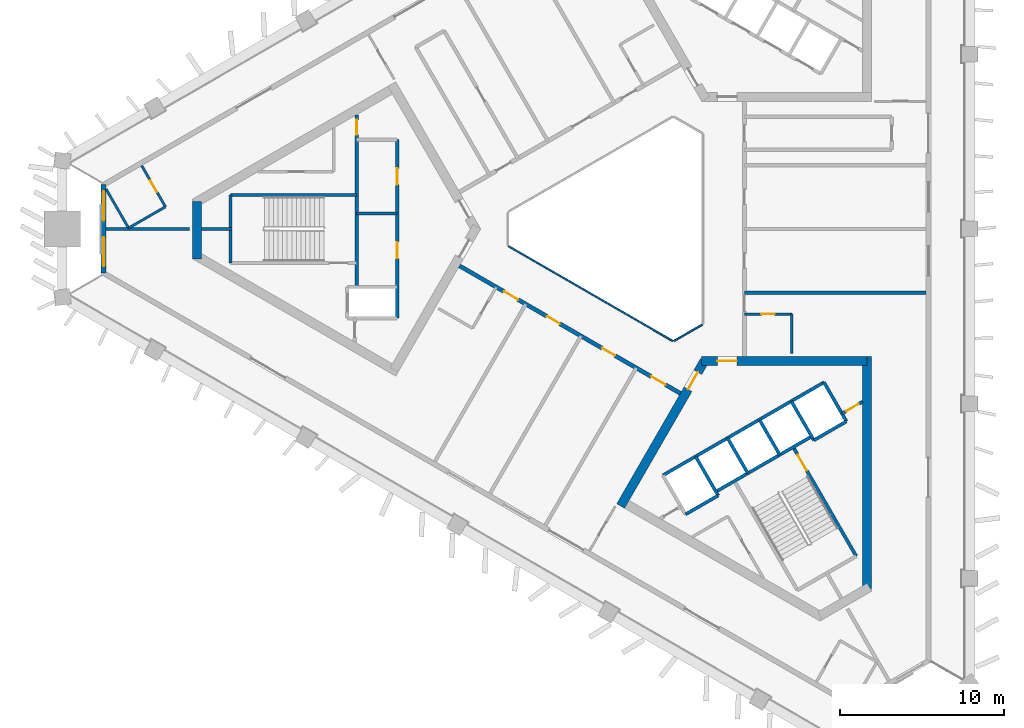
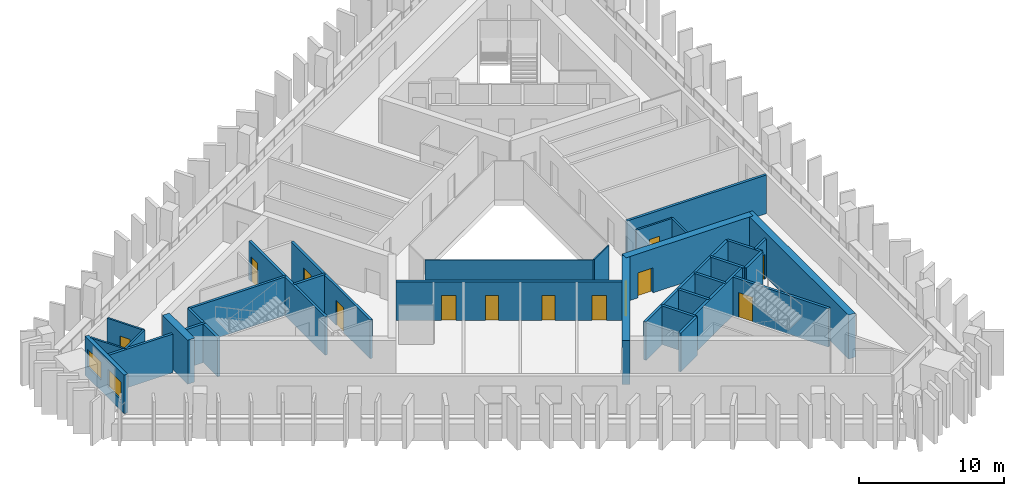
# One storey, part 3 of 9: 32 walls, 13 doors, 2 windows, 15 openings.
"""IFC4 building model written with IfcOpenShell, lengths in metres."""

from ifc_helpers import new_model, si_unit, direction, frame, frame_2d, origin, place, context, subcontext, project, spatial, rectangle, extrude, material, layer, layer_set, type_object, element, fill, save


model = new_model("IFC4")

# Units and contexts
model_context = context("Model", 3, precision=1e-05, world=origin(), true_north=direction((0.0, 1.0)))
body_context = subcontext(model_context, "Body", "Model", "MODEL_VIEW")
ifc_project = project(units=[si_unit("LENGTHUNIT", "METRE"), si_unit("AREAUNIT", "SQUARE_METRE"), si_unit("VOLUMEUNIT", "CUBIC_METRE"), si_unit("PLANEANGLEUNIT", "RADIAN"), si_unit("MASSUNIT", "GRAM", prefix="KILO")], contexts=[model_context])

# Site, building, storey
site_placement = place(None, origin())
site = spatial("IfcSite", under=ifc_project, at=site_placement, CompositionType="ELEMENT")
building_placement = place(site_placement, origin())
building = spatial("IfcBuilding", under=site, at=building_placement, Name="Jabali Bay Hotel Tower and Convention Centre", CompositionType="ELEMENT")
storey_placement = place(building_placement, frame((0.0, 0.0, 185.89990234375)))
storey = spatial("IfcBuildingStorey", under=building, at=storey_placement, Name="L45", CompositionType="ELEMENT", Elevation=185.89990234375)

# Walls
ifc_material_1 = material(Name="Fire-resistant glazing", Category="glass")
ifc_layer_1 = layer(ifc_material_1, 0.10009765625)
ifc_layer_set_1 = layer_set([ifc_layer_1], Name="Fire-resistant glazing")
wall_type_1 = type_object("IfcWallType", Name="Atrium glazed screen 100", PredefinedType="PARTITIONING", material=ifc_layer_set_1)
wall_1_placement = place(storey_placement, frame((67.7021484375, 78.947998046875, 0.0), z_axis=(0.0, 0.0, 1.0), x_axis=(0.866026658274, -0.499997827154, 0.0)))
element("IfcWall", 1, at=wall_1_placement, inside=storey, type_object=wall_type_1, Name="Atrium screen 5 L45", PredefinedType="PARTITIONING", context=body_context, shape_type="SweptSolid", body=[
    extrude(rectangle(XDim=11.58837890625, YDim=0.10009765625, at=frame_2d((5.794189453125, 0.0))), origin(), (0.0, 0.0, 1.0), 3.25),
])
wall_2_placement = place(storey_placement, frame((77.7978515625, 73.15380859375, 0.0), z_axis=(0.0, 0.0, 1.0), x_axis=(0.866041268327, 0.499972520799, 0.0)))
element("IfcWall", 2, at=wall_2_placement, inside=storey, type_object=wall_type_1, Name="Atrium screen 6 L45", PredefinedType="PARTITIONING", context=body_context, shape_type="SweptSolid", body=[
    extrude(rectangle(XDim=2.0, YDim=0.10009765625, at=frame_2d((1.0, 0.0))), origin(), (0.0, 0.0, 1.0), 3.25),
])
ifc_material_2 = material(Name="Concrete C40", Category="concrete")
ifc_layer_2 = layer(ifc_material_2, 0.199951171875)
ifc_layer_set_2 = layer_set([ifc_layer_2], Name="Concrete C40")
wall_type_2 = type_object("IfcWallType", Name="Core partition wall 200", PredefinedType="PARTITIONING", material=ifc_layer_set_2)
wall_3_placement = place(storey_placement, frame((50.820068359375, 80.0, 0.0), z_axis=(0.0, 0.0, 1.0), x_axis=(-1.0, 0.0, 0.0)))
element("IfcWall", 3, at=wall_3_placement, inside=storey, type_object=wall_type_2, Name="Core wall 0.4 L45", PredefinedType="PARTITIONING", context=body_context, shape_type="SweptSolid", body=[
    extrude(rectangle(XDim=1.873046875, YDim=0.199951171875, at=frame_2d((0.9365234375, 0.0))), origin(), (0.0, 0.0, 1.0), 3.25),
])

# Wall, opening, door
wall_4_placement = place(storey_placement, frame((88.064697265625, 68.72119140625, 0.0), z_axis=(0.0, 0.0, 1.0), x_axis=(0.865982457891, 0.500074377092, 0.0)))
wall_4 = element("IfcWall", 4, at=wall_4_placement, inside=storey, type_object=wall_type_2, Name="Core wall 2.12 L45", PredefinedType="PARTITIONING", context=body_context, shape_type="SweptSolid", body=[
    extrude(rectangle(XDim=1.461181640625, YDim=0.199951171875, at=frame_2d((0.73046875, 0.0))), origin(), (0.0, 0.0, 1.0), 3.25),
])
opening_1_placement = place(wall_4_placement, frame((0.280517578125, 0.0, 0.0)))
opening_1 = element("IfcOpeningElement", 5, at=opening_1_placement, cuts=wall_4, Name="Opening D984", PredefinedType="OPENING", context=body_context, shape_type="SweptSolid", body=[
    extrude(rectangle(XDim=0.89990234375, YDim=2.10009765625, at=frame_2d((0.449951171875, 1.050048828125))), frame((0.0, 0.1103515625, 0.0), z_axis=(0.0, -1.0, 0.0), x_axis=(1.0, 0.0, 0.0)), (0.0, 0.0, 1.0), 0.220947265625),
])
ifc_material_3 = material(Name="Fire-rated steel door", Category="steel")
door_type_1 = type_object("IfcDoorType", Name="Vestibule fire door 900 x 2100", OperationType="NOTDEFINED", PredefinedType="NOTDEFINED", material=ifc_material_3)
door_1_placement = place(opening_1_placement, origin())
door_1 = element("IfcDoor", 6, at=door_1_placement, inside=storey, type_object=door_type_1, Name="Vestibule fire door D984", OperationType="SINGLE_SWING_LEFT", OverallHeight=2.10009765625, OverallWidth=0.89990234375, PredefinedType="NOTDEFINED", context=body_context, shape_type="SweptSolid", body=[
    extrude(rectangle(XDim=0.89990234375, YDim=2.10009765625, at=frame_2d((0.449951171875, 1.050048828125))), frame((0.0, 0.02490234375, 0.0), z_axis=(0.0, -1.0, 0.0), x_axis=(1.0, 0.0, 0.0)), (0.0, 0.0, 1.0), 0.050048828125),
])
fill(opening_1, door_1)

# Walls
ifc_layer_3 = layer(ifc_material_2, 0.199951171875)
ifc_layer_set_3 = layer_set([ifc_layer_3], Name="Concrete C40")
wall_type_3 = type_object("IfcWallType", Name="Core stair wall 200", PredefinedType="SOLIDWALL", material=ifc_layer_set_3)
wall_5_placement = place(storey_placement, frame((58.419921875, 82.074951171875, 0.0), z_axis=(0.0, 0.0, 1.0), x_axis=(-1.0, 0.0, 0.0)))
element("IfcWall", 7, at=wall_5_placement, inside=storey, type_object=wall_type_3, Name="Core wall 0.2 L45", PredefinedType="SOLIDWALL", context=body_context, shape_type="SweptSolid", body=[
    extrude(rectangle(XDim=7.699951171875, YDim=0.199951171875, at=frame_2d((3.85009765625, 0.0))), origin(), (0.0, 0.0, 1.0), 3.25),
])
wall_6_placement = place(storey_placement, frame((60.89990234375, 80.949951171875, 0.0), z_axis=(0.0, 0.0, 1.0), x_axis=(-1.0, 0.0, 0.0)))
element("IfcWall", 8, at=wall_6_placement, inside=storey, type_object=wall_type_3, Name="Core wall 0.3 L45", PredefinedType="SOLIDWALL", context=body_context, shape_type="SweptSolid", body=[
    extrude(rectangle(XDim=2.47998046875, YDim=0.199951171875, at=frame_2d((1.239990234375, 0.0))), origin(), (0.0, 0.0, 1.0), 3.25),
])

# Wall, openings, doors
wall_7_placement = place(storey_placement, frame((60.89990234375, 85.449951171875, 0.0), z_axis=(0.0, 0.0, 1.0), x_axis=(0.0, -1.0, 0.0)))
wall_7 = element("IfcWall", 9, at=wall_7_placement, inside=storey, type_object=wall_type_3, Name="Core wall 0.8 L45", PredefinedType="SOLIDWALL", context=body_context, shape_type="SweptSolid", body=[
    extrude(rectangle(XDim=10.89990234375, YDim=0.199951171875, at=frame_2d((5.449951171875, 0.0))), origin(), (0.0, 0.0, 1.0), 3.25),
])
opening_2_placement = place(wall_7_placement, frame((1.75, 0.0, 0.0)))
opening_2 = element("IfcOpeningElement", 10, at=opening_2_placement, cuts=wall_7, Name="Opening D970", PredefinedType="OPENING", context=body_context, shape_type="SweptSolid", body=[
    extrude(rectangle(XDim=1.0, YDim=2.10009765625, at=frame_2d((0.5, 1.050048828125))), frame((0.0, 0.1103515625, 0.0), z_axis=(0.0, -1.0, 0.0), x_axis=(1.0, 0.0, 0.0)), (0.0, 0.0, 1.0), 0.220947265625),
])
opening_3_placement = place(wall_7_placement, frame((6.25, 0.0, 0.0)))
opening_3 = element("IfcOpeningElement", 11, at=opening_3_placement, cuts=wall_7, Name="Opening D971", PredefinedType="OPENING", context=body_context, shape_type="SweptSolid", body=[
    extrude(rectangle(XDim=1.0, YDim=2.10009765625, at=frame_2d((0.5, 1.050048828125))), frame((0.0, 0.1103515625, 0.0), z_axis=(0.0, -1.0, 0.0), x_axis=(1.0, 0.0, 0.0)), (0.0, 0.0, 1.0), 0.220947265625),
])
door_type_2 = type_object("IfcDoorType", Name="Core room door 1000 x 2100", OperationType="NOTDEFINED", PredefinedType="NOTDEFINED", material=ifc_material_3)
door_2_placement = place(opening_2_placement, origin())
door_2 = element("IfcDoor", 12, at=door_2_placement, inside=storey, type_object=door_type_2, Name="Core room door D970", OperationType="SINGLE_SWING_RIGHT", OverallHeight=2.10009765625, OverallWidth=1.0, PredefinedType="NOTDEFINED", context=body_context, shape_type="SweptSolid", body=[
    extrude(rectangle(XDim=1.0, YDim=2.10009765625, at=frame_2d((0.5, 1.050048828125))), frame((0.0, 0.02490234375, 0.0), z_axis=(0.0, -1.0, 0.0), x_axis=(1.0, 0.0, 0.0)), (0.0, 0.0, 1.0), 0.050048828125),
])
fill(opening_2, door_2)
door_3_placement = place(opening_3_placement, origin())
door_3 = element("IfcDoor", 13, at=door_3_placement, inside=storey, type_object=door_type_2, Name="Core room door D971", OperationType="SINGLE_SWING_RIGHT", OverallHeight=2.10009765625, OverallWidth=1.0, PredefinedType="NOTDEFINED", context=body_context, shape_type="SweptSolid", body=[
    extrude(rectangle(XDim=1.0, YDim=2.10009765625, at=frame_2d((0.5, 1.050048828125))), frame((0.0, 0.02490234375, 0.0), z_axis=(0.0, -1.0, 0.0), x_axis=(1.0, 0.0, 0.0)), (0.0, 0.0, 1.0), 0.050048828125),
])
fill(opening_3, door_3)

# Wall, opening, door
wall_8_placement = place(storey_placement, frame((58.419921875, 86.974365234375, 0.0), z_axis=(0.0, 0.0, 1.0), x_axis=(0.0, -1.0, 0.0)))
wall_8 = element("IfcWall", 14, at=wall_8_placement, inside=storey, type_object=wall_type_3, Name="Core wall 0.9 L45", PredefinedType="SOLIDWALL", context=body_context, shape_type="SweptSolid", body=[
    extrude(rectangle(XDim=10.5244140625, YDim=0.199951171875, at=frame_2d((5.26220703125, 0.0))), origin(), (0.0, 0.0, 1.0), 3.25),
])
opening_4_placement = place(wall_8_placement, frame((0.312255859375, 0.0, 0.0)))
opening_4 = element("IfcOpeningElement", 15, at=opening_4_placement, cuts=wall_8, Name="Opening D973", PredefinedType="OPENING", context=body_context, shape_type="SweptSolid", body=[
    extrude(rectangle(XDim=0.89990234375, YDim=2.10009765625, at=frame_2d((0.449951171875, 1.050048828125))), frame((0.0, 0.1103515625, 0.0), z_axis=(0.0, -1.0, 0.0), x_axis=(1.0, 0.0, 0.0)), (0.0, 0.0, 1.0), 0.220947265625),
])
door_4_placement = place(opening_4_placement, origin())
door_4 = element("IfcDoor", 16, at=door_4_placement, inside=storey, type_object=door_type_1, Name="Vestibule fire door D973", OperationType="SINGLE_SWING_LEFT", OverallHeight=2.10009765625, OverallWidth=0.89990234375, PredefinedType="NOTDEFINED", context=body_context, shape_type="SweptSolid", body=[
    extrude(rectangle(XDim=0.89990234375, YDim=2.10009765625, at=frame_2d((0.449951171875, 1.050048828125))), frame((0.0, 0.02490234375, 0.0), z_axis=(0.0, -1.0, 0.0), x_axis=(1.0, 0.0, 0.0)), (0.0, 0.0, 1.0), 0.050048828125),
])
fill(opening_4, door_4)

# Walls
wall_9_placement = place(storey_placement, frame((50.719970703125, 82.074951171875, 0.0), z_axis=(0.0, 0.0, 1.0), x_axis=(0.0, -1.0, 0.0)))
element("IfcWall", 17, at=wall_9_placement, inside=storey, type_object=wall_type_3, Name="Core wall 0.13 L45", PredefinedType="SOLIDWALL", context=body_context, shape_type="SweptSolid", body=[
    extrude(rectangle(XDim=4.14990234375, YDim=0.199951171875, at=frame_2d((2.074951171875, 0.0))), origin(), (0.0, 0.0, 1.0), 3.25),
])
wall_10_placement = place(storey_placement, frame((79.127197265625, 66.1015625, 0.0), z_axis=(0.0, 0.0, 1.0), x_axis=(0.499996545922, -0.866027397988, 0.0)))
element("IfcWall", 18, at=wall_10_placement, inside=storey, type_object=wall_type_3, Name="Core wall 2.2 L45", PredefinedType="SOLIDWALL", context=body_context, shape_type="SweptSolid", body=[
    extrude(rectangle(XDim=2.75, YDim=0.199951171875, at=frame_2d((1.375, 0.0))), origin(), (0.0, 0.0, 1.0), 3.25),
])
for number, where, z_axis, x_axis, name in (
    (19, (81.07568359375, 67.2265625, 0.0), (0.0, 0.0, 1.0), (0.50000366821, -0.866023285932, 0.0), "Core wall 2.4 L45"),
    (20, (83.024169921875, 68.3515625, 0.0), (0.0, 0.0, 1.0), (0.50000366821, -0.866023285932, 0.0), "Core wall 2.6 L45"),
):
    element("IfcWall", number, at=place(storey_placement, frame(where, z_axis=z_axis, x_axis=x_axis)), inside=storey, type_object=wall_type_3, Name=name, PredefinedType="SOLIDWALL", context=body_context, shape_type="SweptSolid", body=[
        extrude(rectangle(XDim=2.47998046875, YDim=0.199951171875, at=frame_2d((1.239990234375, 0.0))), origin(), (0.0, 0.0, 1.0), 3.25),
    ])

# Wall, opening, door
wall_11_placement = place(storey_placement, frame((85.0869140625, 66.6787109375, 0.0), z_axis=(0.0, 0.0, 1.0), x_axis=(0.500019787375, -0.866013979237, 0.0)))
wall_11 = element("IfcWall", 21, at=wall_11_placement, inside=storey, type_object=wall_type_3, Name="Core wall 2.7 L45", PredefinedType="SOLIDWALL", context=body_context, shape_type="SweptSolid", body=[
    extrude(rectangle(XDim=7.699951171875, YDim=0.199951171875, at=frame_2d((3.85009765625, 0.0))), origin(), (0.0, 0.0, 1.0), 3.25),
])
opening_5_placement = place(wall_11_placement, frame((0.550048828125, 0.0, 0.0)))
opening_5 = element("IfcOpeningElement", 22, at=opening_5_placement, cuts=wall_11, Name="Opening D986", PredefinedType="OPENING", context=body_context, shape_type="SweptSolid", body=[
    extrude(rectangle(XDim=1.10009765625, YDim=2.10009765625, at=frame_2d((0.550048828125, 1.050048828125))), frame((0.0, 0.1103515625, 0.0), z_axis=(0.0, -1.0, 0.0), x_axis=(1.0, 0.0, 0.0)), (0.0, 0.0, 1.0), 0.220947265625),
])
door_type_3 = type_object("IfcDoorType", Name="Stair fire door 1100 x 2100", OperationType="NOTDEFINED", PredefinedType="NOTDEFINED", material=ifc_material_3)
door_5_placement = place(opening_5_placement, origin())
door_5 = element("IfcDoor", 23, at=door_5_placement, inside=storey, type_object=door_type_3, Name="Stair fire door D986", OperationType="SINGLE_SWING_RIGHT", OverallHeight=2.10009765625, OverallWidth=1.10009765625, PredefinedType="NOTDEFINED", context=body_context, shape_type="SweptSolid", body=[
    extrude(rectangle(XDim=1.10009765625, YDim=2.10009765625, at=frame_2d((0.550048828125, 1.050048828125))), frame((0.0, 0.02490234375, 0.0), z_axis=(0.0, -1.0, 0.0), x_axis=(1.0, 0.0, 0.0)), (0.0, 0.0, 1.0), 0.050048828125),
])
fill(opening_5, door_5)

# Walls
for number, where, z_axis, x_axis, name in (
    (24, (84.972900390625, 69.4765625, 0.0), (0.0, 0.0, 1.0), (0.499996545922, -0.866027397988, 0.0), "Core wall 2.8 L45"),
    (25, (86.964599609375, 70.62646484375, 0.0), (0.0, 0.0, 1.0), (0.499996545922, -0.866027397988, 0.0), "Core wall 2.9 L45"),
):
    element("IfcWall", number, at=place(storey_placement, frame(where, z_axis=z_axis, x_axis=x_axis)), inside=storey, type_object=wall_type_3, Name=name, PredefinedType="SOLIDWALL", context=body_context, shape_type="SweptSolid", body=[
        extrude(rectangle(XDim=2.75, YDim=0.199951171875, at=frame_2d((1.375, 0.0))), origin(), (0.0, 0.0, 1.0), 3.25),
    ])
wall_12_placement = place(storey_placement, frame((77.13525390625, 64.95166015625, 0.0), z_axis=(0.0, 0.0, 1.0), x_axis=(0.866031916153, 0.499988720078, 0.0)))
element("IfcWall", 26, at=wall_12_placement, inside=storey, type_object=wall_type_3, Name="Core wall 2.10 L45", PredefinedType="SOLIDWALL", context=body_context, shape_type="SweptSolid", body=[
    extrude(rectangle(XDim=11.349853515625, YDim=0.199951171875, at=frame_2d((5.6748046875, 0.0))), origin(), (0.0, 0.0, 1.0), 3.25),
])
wall_13_placement = place(storey_placement, frame((80.3671875, 63.953857421875, 0.0), z_axis=(0.0, 0.0, 1.0), x_axis=(0.866026575979, 0.499997969693, 0.0)))
element("IfcWall", 27, at=wall_13_placement, inside=storey, type_object=wall_type_3, Name="Core wall 2.13 L45", PredefinedType="SOLIDWALL", context=body_context, shape_type="SweptSolid", body=[
    extrude(rectangle(XDim=6.75, YDim=0.199951171875, at=frame_2d((3.375, 0.0))), origin(), (0.0, 0.0, 1.0), 3.25),
])
wall_14_placement = place(storey_placement, frame((78.51025390625, 62.570068359375, 0.0), z_axis=(0.0, 0.0, 1.0), x_axis=(0.866053019151, 0.499952165731, 0.0)))
element("IfcWall", 28, at=wall_14_placement, inside=storey, type_object=wall_type_3, Name="Core wall 2.14 L45", PredefinedType="SOLIDWALL", context=body_context, shape_type="SweptSolid", body=[
    extrude(rectangle(XDim=2.300048828125, YDim=0.199951171875, at=frame_2d((1.14990234375, 0.0))), origin(), (0.0, 0.0, 1.0), 3.25),
])
wall_15_placement = place(storey_placement, frame((86.347900390625, 67.094970703125, 0.0), z_axis=(0.0, 0.0, 1.0), x_axis=(0.86602648383, 0.499998129301, 0.0)))
element("IfcWall", 29, at=wall_15_placement, inside=storey, type_object=wall_type_3, Name="Core wall 2.15 L45", PredefinedType="SOLIDWALL", context=body_context, shape_type="SweptSolid", body=[
    extrude(rectangle(XDim=2.2998046875, YDim=0.199951171875, at=frame_2d((1.14990234375, 0.0))), origin(), (0.0, 0.0, 1.0), 3.25),
])
ifc_material_4 = material(Name="Concrete C60", Category="concrete")
ifc_layer_4 = layer(ifc_material_4, 0.550048828125)
ifc_layer_set_4 = layer_set([ifc_layer_4], Name="Concrete C60")
wall_type_4 = type_object("IfcWallType", Name="Core wall 550", PredefinedType="SHEAR", material=ifc_layer_set_4)
wall_16_placement = place(storey_placement, frame((48.671875, 81.663818359375, 0.0), z_axis=(0.0, 0.0, 1.0), x_axis=(0.0, -1.0, 0.0)))
element("IfcWall", 30, at=wall_16_placement, inside=storey, type_object=wall_type_4, Name="Core wall 1.3 L45", PredefinedType="SHEAR", context=body_context, shape_type="SweptSolid", body=[
    extrude(rectangle(XDim=3.486572265625, YDim=0.550048828125, at=frame_2d((1.7431640625, 0.0))), origin(), (0.0, 0.0, 1.0), 3.7001953125),
])

# Wall, opening, door
wall_17_placement = place(storey_placement, frame((79.65869140625, 71.9306640625, 0.0), z_axis=(0.0, 0.0, 1.0), x_axis=(-0.500000202252, -0.866025287014, 0.0)))
wall_17 = element("IfcWall", 31, at=wall_17_placement, inside=storey, type_object=wall_type_4, Name="Core wall 3.1 L45", PredefinedType="SHEAR", context=body_context, shape_type="SweptSolid", body=[
    extrude(rectangle(XDim=10.22119140625, YDim=0.550048828125, at=frame_2d((5.110595703125, 0.0))), origin(), (0.0, 0.0, 1.0), 3.7001953125),
])
opening_6_placement = place(wall_17_placement, frame((0.791259765625, 0.0, 0.0)))
opening_6 = element("IfcOpeningElement", 32, at=opening_6_placement, cuts=wall_17, Name="Opening D982", PredefinedType="OPENING", context=body_context, shape_type="SweptSolid", body=[
    extrude(rectangle(XDim=1.199951171875, YDim=2.10009765625, at=frame_2d((0.60009765625, 1.050048828125))), frame((0.0, 0.28564453125, 0.0), z_axis=(0.0, -1.0, 0.0), x_axis=(1.0, 0.0, 0.0)), (0.0, 0.0, 1.0), 0.571044921875),
])
door_type_4 = type_object("IfcDoorType", Name="Corridor end fire door 1200 x 2100", OperationType="NOTDEFINED", PredefinedType="NOTDEFINED", material=ifc_material_3)
door_6_placement = place(opening_6_placement, origin())
door_6 = element("IfcDoor", 33, at=door_6_placement, inside=storey, type_object=door_type_4, Name="Corridor end fire door D982", OperationType="SINGLE_SWING_RIGHT", OverallHeight=2.10009765625, OverallWidth=1.199951171875, PredefinedType="NOTDEFINED", context=body_context, shape_type="SweptSolid", body=[
    extrude(rectangle(XDim=1.199951171875, YDim=2.10009765625, at=frame_2d((0.60009765625, 1.050048828125))), frame((0.0, 0.02490234375, 0.0), z_axis=(0.0, -1.0, 0.0), x_axis=(1.0, 0.0, 0.0)), (0.0, 0.0, 1.0), 0.050048828125),
])
fill(opening_6, door_6)

# Wall
wall_18_placement = place(storey_placement, frame((89.60498046875, 58.03125, 0.0), z_axis=(0.0, 0.0, 1.0), x_axis=(0.0, 1.0, 0.0)))
element("IfcWall", 34, at=wall_18_placement, inside=storey, type_object=wall_type_4, Name="Core wall 3.4 L45", PredefinedType="SHEAR", context=body_context, shape_type="SweptSolid", body=[
    extrude(rectangle(XDim=14.174560546875, YDim=0.550048828125, at=frame_2d((7.08740234375, 0.0))), origin(), (0.0, 0.0, 1.0), 3.7001953125),
])

# Wall, opening, door
wall_19_placement = place(storey_placement, frame((89.60498046875, 71.9306640625, 0.0), z_axis=(0.0, 0.0, 1.0), x_axis=(-1.0, 0.0, 0.0)))
wall_19 = element("IfcWall", 35, at=wall_19_placement, inside=storey, type_object=wall_type_4, Name="Core wall 3.5 L45", PredefinedType="SHEAR", context=body_context, shape_type="SweptSolid", body=[
    extrude(rectangle(XDim=10.10498046875, YDim=0.550048828125, at=frame_2d((5.052490234375, 0.0))), origin(), (0.0, 0.0, 1.0), 3.7001953125),
])
opening_7_placement = place(wall_19_placement, frame((7.955078125, 0.0, 0.0)))
opening_7 = element("IfcOpeningElement", 36, at=opening_7_placement, cuts=wall_19, Name="Opening D983", PredefinedType="OPENING", context=body_context, shape_type="SweptSolid", body=[
    extrude(rectangle(XDim=1.199951171875, YDim=2.10009765625, at=frame_2d((0.60009765625, 1.050048828125))), frame((0.0, 0.28564453125, 0.0), z_axis=(0.0, -1.0, 0.0), x_axis=(1.0, 0.0, 0.0)), (0.0, 0.0, 1.0), 0.571044921875),
])
door_7_placement = place(opening_7_placement, origin())
door_7 = element("IfcDoor", 37, at=door_7_placement, inside=storey, type_object=door_type_4, Name="Corridor end fire door D983", OperationType="SINGLE_SWING_LEFT", OverallHeight=2.10009765625, OverallWidth=1.199951171875, PredefinedType="NOTDEFINED", context=body_context, shape_type="SweptSolid", body=[
    extrude(rectangle(XDim=1.199951171875, YDim=2.10009765625, at=frame_2d((0.60009765625, 1.050048828125))), frame((0.0, 0.02490234375, 0.0), z_axis=(0.0, -1.0, 0.0), x_axis=(1.0, 0.0, 0.0)), (0.0, 0.0, 1.0), 0.050048828125),
])
fill(opening_7, door_7)

# Wall, openings, doors
ifc_layer_5 = layer(ifc_material_4, 0.25)
ifc_layer_set_5 = layer_set([ifc_layer_5], Name="Concrete C60")
wall_type_5 = type_object("IfcWallType", Name="Corridor wall 250", PredefinedType="SHEAR", material=ifc_layer_set_5)
wall_20_placement = place(storey_placement, frame((64.699951171875, 77.748291015625, 0.0), z_axis=(0.0, 0.0, 1.0), x_axis=(0.866026492143, -0.499998114903, 0.0)))
wall_20 = element("IfcWall", 38, at=wall_20_placement, inside=storey, type_object=wall_type_5, Name="Corridor wall 3 L45", PredefinedType="SHEAR", context=body_context, shape_type="SweptSolid", body=[
    extrude(rectangle(XDim=15.58837890625, YDim=0.25, at=frame_2d((7.794189453125, 0.0))), origin(), (0.0, 0.0, 1.0), 3.25),
])
opening_8_placement = place(wall_20_placement, frame((3.13818359375, 0.0, 0.0)))
opening_8 = element("IfcOpeningElement", 39, at=opening_8_placement, cuts=wall_20, Name="Opening 4517", PredefinedType="OPENING", context=body_context, shape_type="SweptSolid", body=[
    extrude(rectangle(XDim=1.0, YDim=2.10009765625, at=frame_2d((0.5, 1.050048828125))), frame((0.0, 0.135498046875, 0.0), z_axis=(0.0, -1.0, 0.0), x_axis=(1.0, 0.0, 0.0)), (0.0, 0.0, 1.0), 0.27099609375),
])
opening_9_placement = place(wall_20_placement, frame((6.175048828125, 0.0, 0.0)))
opening_9 = element("IfcOpeningElement", 40, at=opening_9_placement, cuts=wall_20, Name="Opening 4518", PredefinedType="OPENING", context=body_context, shape_type="SweptSolid", body=[
    extrude(rectangle(XDim=0.89990234375, YDim=2.10009765625, at=frame_2d((0.449951171875, 1.050048828125))), frame((0.0, 0.135498046875, 0.0), z_axis=(0.0, -1.0, 0.0), x_axis=(1.0, 0.0, 0.0)), (0.0, 0.0, 1.0), 0.27099609375),
])
opening_10_placement = place(wall_20_placement, frame((10.072265625, 0.0, 0.0)))
opening_10 = element("IfcOpeningElement", 41, at=opening_10_placement, cuts=wall_20, Name="Opening 4519", PredefinedType="OPENING", context=body_context, shape_type="SweptSolid", body=[
    extrude(rectangle(XDim=0.89990234375, YDim=2.10009765625, at=frame_2d((0.449951171875, 1.050048828125))), frame((0.0, 0.135498046875, 0.0), z_axis=(0.0, -1.0, 0.0), x_axis=(1.0, 0.0, 0.0)), (0.0, 0.0, 1.0), 0.27099609375),
])
opening_11_placement = place(wall_20_placement, frame((13.529541015625, 0.0, 0.0)))
opening_11 = element("IfcOpeningElement", 42, at=opening_11_placement, cuts=wall_20, Name="Opening 4520", PredefinedType="OPENING", context=body_context, shape_type="SweptSolid", body=[
    extrude(rectangle(XDim=1.0, YDim=2.10009765625, at=frame_2d((0.5, 1.050048828125))), frame((0.0, 0.135498046875, 0.0), z_axis=(0.0, -1.0, 0.0), x_axis=(1.0, 0.0, 0.0)), (0.0, 0.0, 1.0), 0.27099609375),
])
ifc_material_5 = material(Name="Timber", Category="wood")
door_type_5 = type_object("IfcDoorType", Name="Guest room door 1000 x 2100", OperationType="NOTDEFINED", PredefinedType="NOTDEFINED", material=ifc_material_5)
door_8_placement = place(opening_8_placement, origin())
door_8 = element("IfcDoor", 43, at=door_8_placement, inside=storey, type_object=door_type_5, Name="Door 4517", OperationType="SINGLE_SWING_LEFT", OverallHeight=2.10009765625, OverallWidth=1.0, PredefinedType="NOTDEFINED", context=body_context, shape_type="SweptSolid", body=[
    extrude(rectangle(XDim=1.0, YDim=2.10009765625, at=frame_2d((0.5, 1.050048828125))), frame((0.0, 0.02490234375, 0.0), z_axis=(0.0, -1.0, 0.0), x_axis=(1.0, 0.0, 0.0)), (0.0, 0.0, 1.0), 0.050048828125),
])
fill(opening_8, door_8)
door_9_placement = place(opening_11_placement, origin())
door_9 = element("IfcDoor", 44, at=door_9_placement, inside=storey, type_object=door_type_5, Name="Door 4520", OperationType="SINGLE_SWING_RIGHT", OverallHeight=2.10009765625, OverallWidth=1.0, PredefinedType="NOTDEFINED", context=body_context, shape_type="SweptSolid", body=[
    extrude(rectangle(XDim=1.0, YDim=2.10009765625, at=frame_2d((0.5, 1.050048828125))), frame((0.0, 0.02490234375, 0.0), z_axis=(0.0, -1.0, 0.0), x_axis=(1.0, 0.0, 0.0)), (0.0, 0.0, 1.0), 0.050048828125),
])
fill(opening_11, door_9)
door_type_6 = type_object("IfcDoorType", Name="Internal door 900 x 2100", OperationType="NOTDEFINED", PredefinedType="NOTDEFINED", material=ifc_material_5)
door_10_placement = place(opening_9_placement, origin())
door_10 = element("IfcDoor", 45, at=door_10_placement, inside=storey, type_object=door_type_6, Name="Door 4518", OperationType="SINGLE_SWING_LEFT", OverallHeight=2.10009765625, OverallWidth=0.89990234375, PredefinedType="NOTDEFINED", context=body_context, shape_type="SweptSolid", body=[
    extrude(rectangle(XDim=0.89990234375, YDim=2.10009765625, at=frame_2d((0.449951171875, 1.050048828125))), frame((0.0, 0.02490234375, 0.0), z_axis=(0.0, -1.0, 0.0), x_axis=(1.0, 0.0, 0.0)), (0.0, 0.0, 1.0), 0.050048828125),
])
fill(opening_9, door_10)
door_11_placement = place(opening_10_placement, origin())
door_11 = element("IfcDoor", 46, at=door_11_placement, inside=storey, type_object=door_type_6, Name="Door 4519", OperationType="SINGLE_SWING_RIGHT", OverallHeight=2.10009765625, OverallWidth=0.89990234375, PredefinedType="NOTDEFINED", context=body_context, shape_type="SweptSolid", body=[
    extrude(rectangle(XDim=0.89990234375, YDim=2.10009765625, at=frame_2d((0.449951171875, 1.050048828125))), frame((0.0, 0.02490234375, 0.0), z_axis=(0.0, -1.0, 0.0), x_axis=(1.0, 0.0, 0.0)), (0.0, 0.0, 1.0), 0.050048828125),
])
fill(opening_10, door_11)

# Wall, openings, windows
ifc_layer_6 = layer(ifc_material_2, 0.300048828125)
ifc_layer_set_6 = layer_set([ifc_layer_6], Name="Concrete C40")
wall_type_6 = type_object("IfcWallType", Name="External wall 300", PredefinedType="SOLIDWALL", material=ifc_layer_set_6)
wall_21_placement = place(storey_placement, frame((42.970947265625, 77.30029296875, 0.0), z_axis=(0.0, 0.0, 1.0), x_axis=(0.0, 1.0, 0.0)))
wall_21 = element("IfcWall", 47, at=wall_21_placement, inside=storey, type_object=wall_type_6, Name="External wall west chamfer L45", PredefinedType="SOLIDWALL", context=body_context, shape_type="SweptSolid", body=[
    extrude(rectangle(XDim=5.3994140625, YDim=0.300048828125, at=frame_2d((2.69970703125, 0.0))), origin(), (0.0, 0.0, 1.0), 3.25),
])
opening_12_placement = place(wall_21_placement, frame((3.208740234375, 0.0, 0.89990234375)))
opening_12 = element("IfcOpeningElement", 48, at=opening_12_placement, cuts=wall_21, Name="Opening W1", PredefinedType="OPENING", context=body_context, shape_type="SweptSolid", body=[
    extrude(rectangle(XDim=1.800048828125, YDim=1.5, at=frame_2d((0.89990234375, 0.75))), frame((0.0, 0.16064453125, 0.0), z_axis=(0.0, -1.0, 0.0), x_axis=(1.0, 0.0, 0.0)), (0.0, 0.0, 1.0), 0.321044921875),
])
opening_13_placement = place(wall_21_placement, frame((0.406982421875, 0.0, 0.89990234375)))
opening_13 = element("IfcOpeningElement", 49, at=opening_13_placement, cuts=wall_21, Name="Opening W1", PredefinedType="OPENING", context=body_context, shape_type="SweptSolid", body=[
    extrude(rectangle(XDim=1.800048828125, YDim=1.5, at=frame_2d((0.89990234375, 0.75))), frame((0.0, 0.16064453125, 0.0), z_axis=(0.0, -1.0, 0.0), x_axis=(1.0, 0.0, 0.0)), (0.0, 0.0, 1.0), 0.321044921875),
])
ifc_material_6 = material(Name="Glass", Category="glass")
window_type = type_object("IfcWindowType", Name="Window 1800 x 1500", PartitioningType="SINGLE_PANEL", PredefinedType="WINDOW", material=ifc_material_6)
window_1_placement = place(opening_12_placement, origin())
window_1 = element("IfcWindow", 50, at=window_1_placement, inside=storey, type_object=window_type, Name="Window 4507", OverallHeight=1.5, OverallWidth=1.800048828125, PartitioningType="SINGLE_PANEL", PredefinedType="WINDOW", context=body_context, shape_type="SweptSolid", body=[
    extrude(rectangle(XDim=1.800048828125, YDim=1.5, at=frame_2d((0.89990234375, 0.75))), frame((0.0, 0.030029296875, 0.0), z_axis=(0.0, -1.0, 0.0), x_axis=(1.0, 0.0, 0.0)), (0.0, 0.0, 1.0), 0.06005859375),
])
fill(opening_12, window_1)
window_2_placement = place(opening_13_placement, origin())
window_2 = element("IfcWindow", 51, at=window_2_placement, inside=storey, type_object=window_type, Name="Window 4509", OverallHeight=1.5, OverallWidth=1.800048828125, PartitioningType="SINGLE_PANEL", PredefinedType="WINDOW", context=body_context, shape_type="SweptSolid", body=[
    extrude(rectangle(XDim=1.800048828125, YDim=1.5, at=frame_2d((0.89990234375, 0.75))), frame((0.0, 0.030029296875, 0.0), z_axis=(0.0, -1.0, 0.0), x_axis=(1.0, 0.0, 0.0)), (0.0, 0.0, 1.0), 0.06005859375),
])
fill(opening_13, window_2)

# Wall, opening, door
ifc_material_7 = material(Name="Plasterboard on steel stud", Category="steel")
ifc_layer_7 = layer(ifc_material_7, 0.14990234375)
ifc_layer_set_7 = layer_set([ifc_layer_7], Name="Plasterboard on steel stud")
wall_type_7 = type_object("IfcWallType", Name="Partition 150 wet", PredefinedType="PARTITIONING", material=ifc_layer_set_7)
wall_22_placement = place(storey_placement, frame((82.10009765625, 74.802978515625, 0.0), z_axis=(0.0, 0.0, 1.0), x_axis=(1.0, 0.0, 0.0)))
wall_22 = element("IfcWall", 52, at=wall_22_placement, inside=storey, type_object=wall_type_7, Name="Partition P03 L45 001", PredefinedType="PARTITIONING", context=body_context, shape_type="SweptSolid", body=[
    extrude(rectangle(XDim=2.89990234375, YDim=0.14990234375, at=frame_2d((1.449951171875, 0.0))), origin(), (0.0, 0.0, 1.0), 3.25),
])
opening_14_placement = place(wall_22_placement, frame((1.050048828125, 0.0, 0.0)))
opening_14 = element("IfcOpeningElement", 53, at=opening_14_placement, cuts=wall_22, Name="Opening 4501", PredefinedType="OPENING", context=body_context, shape_type="SweptSolid", body=[
    extrude(rectangle(XDim=0.800048828125, YDim=2.10009765625, at=frame_2d((0.39990234375, 1.050048828125))), frame((0.0, 0.08544921875, 0.0), z_axis=(0.0, -1.0, 0.0), x_axis=(1.0, 0.0, 0.0)), (0.0, 0.0, 1.0), 0.1708984375),
])
door_type_7 = type_object("IfcDoorType", Name="En-suite door 800 x 2100", OperationType="NOTDEFINED", PredefinedType="NOTDEFINED", material=ifc_material_5)
door_12_placement = place(opening_14_placement, origin())
door_12 = element("IfcDoor", 54, at=door_12_placement, inside=storey, type_object=door_type_7, Name="Door 4501", OperationType="SINGLE_SWING_LEFT", OverallHeight=2.10009765625, OverallWidth=0.800048828125, PredefinedType="NOTDEFINED", context=body_context, shape_type="SweptSolid", body=[
    extrude(rectangle(XDim=0.800048828125, YDim=2.10009765625, at=frame_2d((0.39990234375, 1.050048828125))), frame((0.0, 0.02490234375, 0.0), z_axis=(0.0, -1.0, 0.0), x_axis=(1.0, 0.0, 0.0)), (0.0, 0.0, 1.0), 0.050048828125),
])
fill(opening_14, door_12)

# Wall
wall_23_placement = place(storey_placement, frame((85.0, 74.802978515625, 0.0), z_axis=(0.0, 0.0, 1.0), x_axis=(0.0, -1.0, 0.0)))
element("IfcWall", 55, at=wall_23_placement, inside=storey, type_object=wall_type_7, Name="Partition P03 L45 002", PredefinedType="PARTITIONING", context=body_context, shape_type="SweptSolid", body=[
    extrude(rectangle(XDim=2.398193359375, YDim=0.14990234375, at=frame_2d((1.19921875, 0.0))), origin(), (0.0, 0.0, 1.0), 3.25),
])

# Wall, opening, door
wall_24_placement = place(storey_placement, frame((45.292724609375, 83.865966796875, 0.0), z_axis=(0.0, 0.0, 1.0), x_axis=(0.50005036918, -0.865996321171, 0.0)))
wall_24 = element("IfcWall", 56, at=wall_24_placement, inside=storey, type_object=wall_type_7, Name="Partition P03 L45 023", PredefinedType="PARTITIONING", context=body_context, shape_type="SweptSolid", body=[
    extrude(rectangle(XDim=2.900146484375, YDim=0.14990234375, at=frame_2d((1.4501953125, 0.0))), origin(), (0.0, 0.0, 1.0), 3.25),
])
opening_15_placement = place(wall_24_placement, frame((1.050048828125, 0.0, 0.0)))
opening_15 = element("IfcOpeningElement", 57, at=opening_15_placement, cuts=wall_24, Name="Opening 4514", PredefinedType="OPENING", context=body_context, shape_type="SweptSolid", body=[
    extrude(rectangle(XDim=0.800048828125, YDim=2.10009765625, at=frame_2d((0.39990234375, 1.050048828125))), frame((0.0, 0.08544921875, 0.0), z_axis=(0.0, -1.0, 0.0), x_axis=(1.0, 0.0, 0.0)), (0.0, 0.0, 1.0), 0.1708984375),
])
door_13_placement = place(opening_15_placement, origin())
door_13 = element("IfcDoor", 58, at=door_13_placement, inside=storey, type_object=door_type_7, Name="Door 4514", OperationType="SINGLE_SWING_RIGHT", OverallHeight=2.10009765625, OverallWidth=0.800048828125, PredefinedType="NOTDEFINED", context=body_context, shape_type="SweptSolid", body=[
    extrude(rectangle(XDim=0.800048828125, YDim=2.10009765625, at=frame_2d((0.39990234375, 1.050048828125))), frame((0.0, 0.02490234375, 0.0), z_axis=(0.0, -1.0, 0.0), x_axis=(1.0, 0.0, 0.0)), (0.0, 0.0, 1.0), 0.050048828125),
])
fill(opening_15, door_13)

# Walls
wall_25_placement = place(storey_placement, frame((46.742919921875, 81.3544921875, 0.0), z_axis=(0.0, 0.0, 1.0), x_axis=(-0.866021400173, -0.500006934395, 0.0)))
element("IfcWall", 59, at=wall_25_placement, inside=storey, type_object=wall_type_7, Name="Partition P03 L45 024", PredefinedType="PARTITIONING", context=body_context, shape_type="SweptSolid", body=[
    extrude(rectangle(XDim=2.60009765625, YDim=0.14990234375, at=frame_2d((1.300048828125, 0.0))), origin(), (0.0, 0.0, 1.0), 3.25),
])
wall_26_placement = place(storey_placement, frame((44.4912109375, 80.054443359375, 0.0), z_axis=(0.0, 0.0, 1.0), x_axis=(-0.500035825175, 0.866004719122, 0.0)))
element("IfcWall", 60, at=wall_26_placement, inside=storey, type_object=wall_type_7, Name="Partition P03 L45 025", PredefinedType="PARTITIONING", context=body_context, shape_type="SweptSolid", body=[
    extrude(rectangle(XDim=2.742431640625, YDim=0.14990234375, at=frame_2d((1.37109375, 0.0))), origin(), (0.0, 0.0, 1.0), 3.25),
])
ifc_layer_8 = layer(ifc_material_7, 0.199951171875)
ifc_layer_set_8 = layer_set([ifc_layer_8], Name="Plasterboard on steel stud")
wall_type_8 = type_object("IfcWallType", Name="Partition 200 party", PredefinedType="PARTITIONING", material=ifc_layer_set_8)
wall_27_placement = place(storey_placement, frame((93.20361328125, 76.102783203125, 0.0), z_axis=(0.0, 0.0, 1.0), x_axis=(-1.0, 0.0, 0.0)))
element("IfcWall", 61, at=wall_27_placement, inside=storey, type_object=wall_type_8, Name="Partition P01 L45 003", PredefinedType="PARTITIONING", context=body_context, shape_type="SweptSolid", body=[
    extrude(rectangle(XDim=11.103515625, YDim=0.199951171875, at=frame_2d((5.5517578125, 0.0))), origin(), (0.0, 0.0, 1.0), 3.25),
])
wall_28_placement = place(storey_placement, frame((43.119873046875, 80.0009765625, 0.0), z_axis=(0.0, 0.0, 1.0), x_axis=(1.0, 0.0, 0.0)))
element("IfcWall", 62, at=wall_28_placement, inside=storey, type_object=wall_type_8, Name="Partition P01 L45 026", PredefinedType="PARTITIONING", context=body_context, shape_type="SweptSolid", body=[
    extrude(rectangle(XDim=5.078125, YDim=0.199951171875, at=frame_2d((2.5390625, 0.0))), origin(), (0.0, 0.0, 1.0), 3.25),
])

save(model, "model.ifc")
